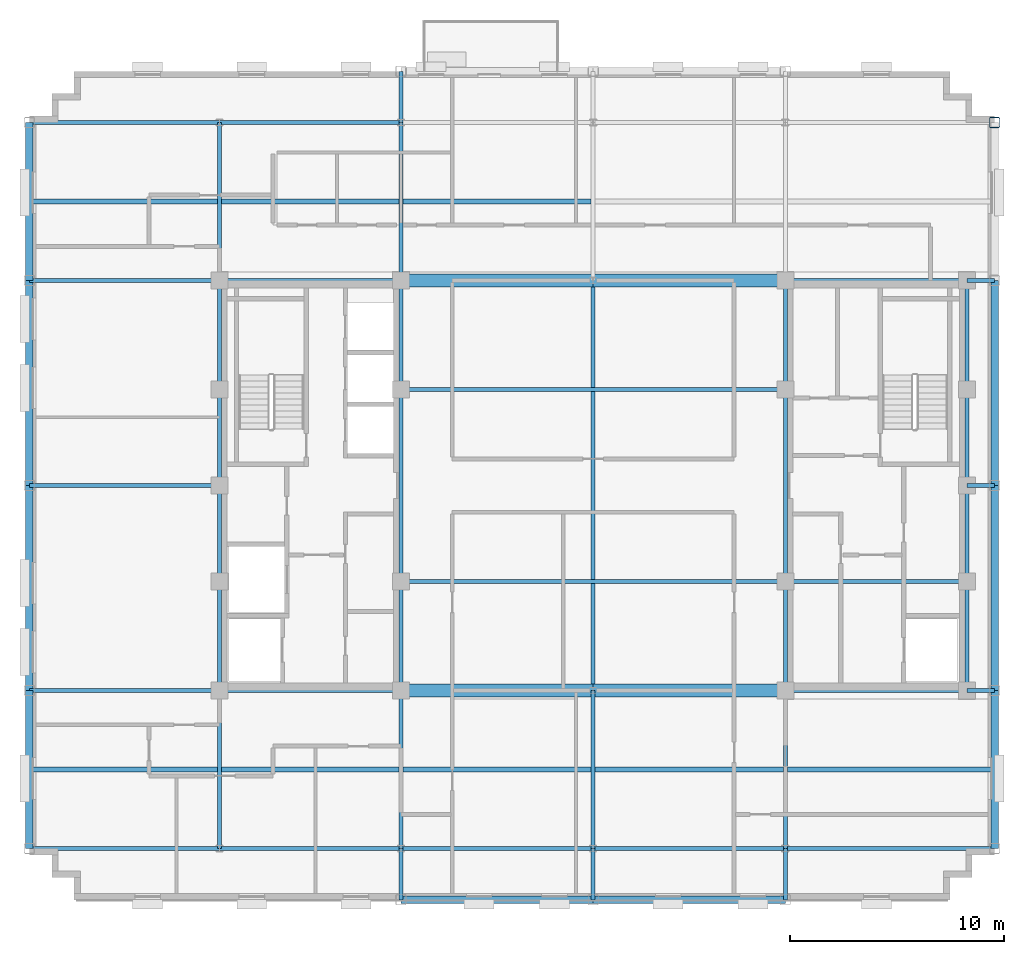
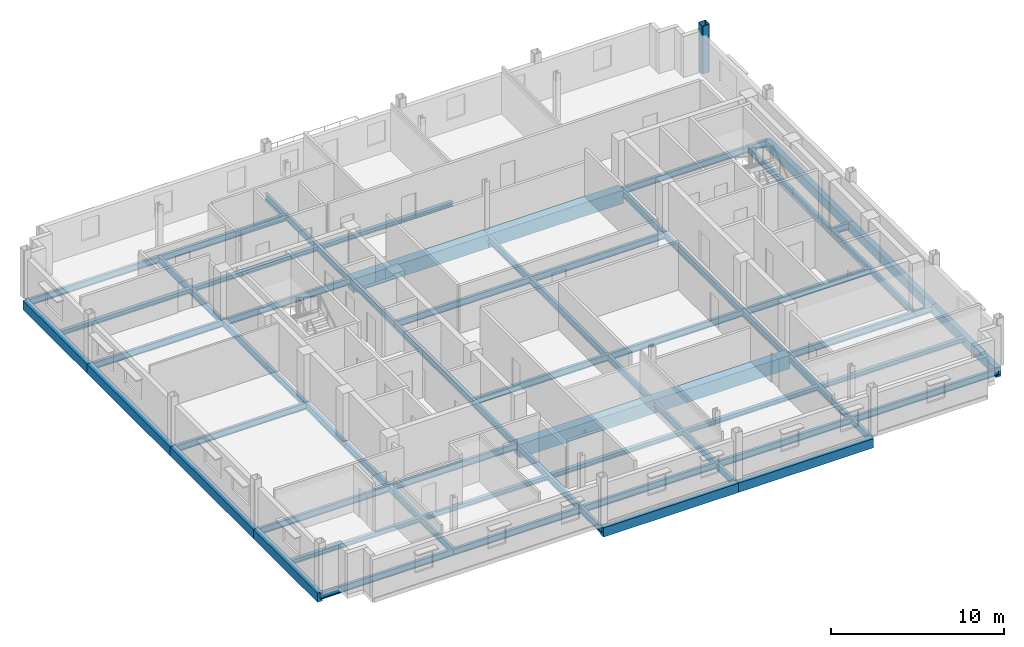
# One storey, part 4 of 14: 66 beams, 1 column.
"""IFC4 building model written with IfcOpenShell, lengths in metres."""

from ifc_helpers import new_model, si_unit, direction, frame, origin, origin_2d, place, context, subcontext, project, spatial, rectangle, hollow_rectangle, i_section, extrude, material, material_profile, profile_set, type_object, element, save


model = new_model("IFC4")

# Units and contexts
model_context = context("Model", 3, precision=1e-05, world=origin(), true_north=direction((0.0, 1.0)))
body_context = subcontext(model_context, "Body", "Model", "MODEL_VIEW")
ifc_project = project(units=[si_unit("LENGTHUNIT", "METRE"), si_unit("AREAUNIT", "SQUARE_METRE"), si_unit("VOLUMEUNIT", "CUBIC_METRE"), si_unit("PLANEANGLEUNIT", "RADIAN"), si_unit("MASSUNIT", "GRAM", prefix="KILO")], contexts=[model_context])

# Site, building, storey
site_placement = place(None, origin())
site = spatial("IfcSite", under=ifc_project, at=site_placement, CompositionType="ELEMENT")
building_placement = place(site_placement, origin())
building = spatial("IfcBuilding", under=site, at=building_placement, Name="Nuvemarco Arch Tower", CompositionType="ELEMENT")
storey_placement = place(building_placement, frame((0.0, 0.0, 238.35009765625)))
storey = spatial("IfcBuildingStorey", under=building, at=storey_placement, Name="L63", CompositionType="ELEMENT", Elevation=238.35009765625)

# Column
ifc_material_1 = material(Name="Steel S355", Category="steel")
ifc_material_profile_1 = material_profile(ifc_material_1, hollow_rectangle(XDim=0.5, YDim=0.5, WallThickness=0.031982421875, InnerFilletRadius=0.031982421875, OuterFilletRadius=0.06396484375, at=origin_2d()), Name="SHS500x500x32")
ifc_profile_set_1 = profile_set([ifc_material_profile_1], Name="Steel S355")
column_type = type_object("IfcColumnType", Name="COL-EXO-500", PredefinedType="COLUMN", material=ifc_profile_set_1)
column_placement = place(storey_placement, frame((18.800048828125, 17.0, 0.0), z_axis=(0.0, 0.0, 1.0), x_axis=(1.0, 0.0, 0.0)))
element("IfcColumn", 1, at=column_placement, inside=storey, type_object=column_type, Name="L63 column CX_+18.8_+17.0", PredefinedType="COLUMN", context=body_context, shape_type="SweptSolid", body=[
    extrude(hollow_rectangle(XDim=0.5, YDim=0.5, WallThickness=0.031982421875, InnerFilletRadius=0.031982421875, OuterFilletRadius=0.06396484375, at=origin_2d()), origin(), (0.0, 0.0, 1.0), 3.369873046875),
])

# Beams
ifc_material_2 = material(Name="Concrete C60/75", Category="concrete")
ifc_material_profile_2 = material_profile(ifc_material_2, rectangle(XDim=0.60009765625, YDim=0.949951171875, at=origin_2d()), Name="RC-BM-600x950")
ifc_profile_set_2 = profile_set([ifc_material_profile_2], Name="Concrete C60/75")
beam_type_1 = type_object("IfcBeamType", Name="BM-COUP-RC", PredefinedType="LINTEL", material=ifc_profile_set_2)
for number, where, z_axis, x_axis, name in (
    (2, (-9.0, -9.60009765625, -0.755126953125), (1.0, 0.0, 0.0), (0.0, 1.0, 0.0), "L63 structural beam BGEW_L63_0_-9.6_-9.0"),
    (3, (0.0, -9.60009765625, -0.755126953125), (1.0, 0.0, 0.0), (0.0, 1.0, 0.0), "L63 structural beam BGEW_L63_0_-9.6_+0.0"),
    (4, (-9.0, 9.60009765625, -0.755126953125), (1.0, 0.0, 0.0), (0.0, 1.0, 0.0), "L63 structural beam BGEW_L63_0_+9.6_-9.0"),
    (5, (0.0, 9.60009765625, -0.755126953125), (1.0, 0.0, 0.0), (0.0, 1.0, 0.0), "L63 structural beam BGEW_L63_0_+9.6_+0.0"),
):
    element("IfcBeam", number, at=place(storey_placement, frame(where, z_axis=z_axis, x_axis=x_axis)), inside=storey, type_object=beam_type_1, Name=name, PredefinedType="LINTEL", context=body_context, shape_type="SweptSolid", body=[
        extrude(rectangle(XDim=0.60009765625, YDim=0.949951171875, at=origin_2d()), origin(), (0.0, 0.0, 1.0), 9.0),
    ])
ifc_material_profile_3 = material_profile(ifc_material_1, i_section(OverallWidth=0.19189453125, OverallDepth=0.462890625, WebThickness=0.010498046875, FlangeThickness=0.017578125, FilletRadius=0.014892578125, at=origin_2d()), Name="W460x89")
ifc_profile_set_3 = profile_set([ifc_material_profile_3], Name="Steel S355")
beam_type_2 = type_object("IfcBeamType", Name="BM-GIRD-460", PredefinedType="BEAM", material=ifc_profile_set_3)
beam_1_placement = place(storey_placement, frame((-17.5, -17.0, -0.51171875), z_axis=(0.0, 1.0, 0.0), x_axis=(-1.0, 0.0, 0.0)))
element("IfcBeam", 6, at=beam_1_placement, inside=storey, type_object=beam_type_2, Name="L63 structural beam BGNS_L63_0_-17.5_-17.0", PredefinedType="BEAM", context=body_context, shape_type="SweptSolid", body=[
    extrude(i_section(OverallWidth=0.19189453125, OverallDepth=0.462890625, WebThickness=0.010498046875, FlangeThickness=0.017578125, FilletRadius=0.014892578125, at=origin_2d()), origin(), (0.0, 0.0, 1.0), 7.39990234375),
])
beam_2_placement = place(storey_placement, frame((-17.5, -9.60009765625, -0.51171875), z_axis=(0.0, 1.0, 0.0), x_axis=(-1.0, 0.0, 0.0)))
element("IfcBeam", 7, at=beam_2_placement, inside=storey, type_object=beam_type_2, Name="L63 structural beam BGNS_L63_0_-17.5_-9.6", PredefinedType="BEAM", context=body_context, shape_type="SweptSolid", body=[
    extrude(i_section(OverallWidth=0.19189453125, OverallDepth=0.462890625, WebThickness=0.010498046875, FlangeThickness=0.017578125, FilletRadius=0.014892578125, at=origin_2d()), origin(), (0.0, 0.0, 1.0), 5.10009765625),
])
for number, where, z_axis, x_axis, name in (
    (8, (-17.5, -4.5, -0.51171875), (0.0, 1.0, 0.0), (-1.0, 0.0, 0.0), "L63 structural beam BGNS_L63_0_-17.5_-4.5"),
    (9, (-17.5, 0.0, -0.51171875), (0.0, 1.0, 0.0), (-1.0, 0.0, 0.0), "L63 structural beam BGNS_L63_0_-17.5_+0.0"),
):
    element("IfcBeam", number, at=place(storey_placement, frame(where, z_axis=z_axis, x_axis=x_axis)), inside=storey, type_object=beam_type_2, Name=name, PredefinedType="BEAM", context=body_context, shape_type="SweptSolid", body=[
        extrude(i_section(OverallWidth=0.19189453125, OverallDepth=0.462890625, WebThickness=0.010498046875, FlangeThickness=0.017578125, FilletRadius=0.014892578125, at=origin_2d()), origin(), (0.0, 0.0, 1.0), 4.5),
    ])
beam_3_placement = place(storey_placement, frame((-17.5, 4.5, -0.51171875), z_axis=(0.0, 1.0, 0.0), x_axis=(-1.0, 0.0, 0.0)))
element("IfcBeam", 10, at=beam_3_placement, inside=storey, type_object=beam_type_2, Name="L63 structural beam BGNS_L63_0_-17.5_+4.5", PredefinedType="BEAM", context=body_context, shape_type="SweptSolid", body=[
    extrude(i_section(OverallWidth=0.19189453125, OverallDepth=0.462890625, WebThickness=0.010498046875, FlangeThickness=0.017578125, FilletRadius=0.014892578125, at=origin_2d()), origin(), (0.0, 0.0, 1.0), 5.10009765625),
])
beam_4_placement = place(storey_placement, frame((-17.5, 9.60009765625, -0.51171875), z_axis=(0.0, 1.0, 0.0), x_axis=(-1.0, 0.0, 0.0)))
element("IfcBeam", 11, at=beam_4_placement, inside=storey, type_object=beam_type_2, Name="L63 structural beam BGNS_L63_0_-17.5_+9.6", PredefinedType="BEAM", context=body_context, shape_type="SweptSolid", body=[
    extrude(i_section(OverallWidth=0.19189453125, OverallDepth=0.462890625, WebThickness=0.010498046875, FlangeThickness=0.017578125, FilletRadius=0.014892578125, at=origin_2d()), origin(), (0.0, 0.0, 1.0), 7.39990234375),
])
beam_5_placement = place(storey_placement, frame((-9.0, -19.39990234375, -0.51171875), z_axis=(0.0, 1.0, 0.0), x_axis=(-1.0, 0.0, 0.0)))
element("IfcBeam", 12, at=beam_5_placement, inside=storey, type_object=beam_type_2, Name="L63 structural beam BGNS_L63_0_-9.0_-19.4", PredefinedType="BEAM", context=body_context, shape_type="SweptSolid", body=[
    extrude(i_section(OverallWidth=0.19189453125, OverallDepth=0.462890625, WebThickness=0.010498046875, FlangeThickness=0.017578125, FilletRadius=0.014892578125, at=origin_2d()), origin(), (0.0, 0.0, 1.0), 2.39990234375),
])
beam_6_placement = place(storey_placement, frame((-9.0, -17.0, -0.51171875), z_axis=(0.0, 1.0, 0.0), x_axis=(-1.0, 0.0, 0.0)))
element("IfcBeam", 13, at=beam_6_placement, inside=storey, type_object=beam_type_2, Name="L63 structural beam BGNS_L63_0_-9.0_-17.0", PredefinedType="BEAM", context=body_context, shape_type="SweptSolid", body=[
    extrude(i_section(OverallWidth=0.19189453125, OverallDepth=0.462890625, WebThickness=0.010498046875, FlangeThickness=0.017578125, FilletRadius=0.014892578125, at=origin_2d()), origin(), (0.0, 0.0, 1.0), 7.39990234375),
])
beam_7_placement = place(storey_placement, frame((-9.0, -9.60009765625, -0.51171875), z_axis=(0.0, 1.0, 0.0), x_axis=(-1.0, 0.0, 0.0)))
element("IfcBeam", 14, at=beam_7_placement, inside=storey, type_object=beam_type_2, Name="L63 structural beam BGNS_L63_0_-9.0_-9.6", PredefinedType="BEAM", context=body_context, shape_type="SweptSolid", body=[
    extrude(i_section(OverallWidth=0.19189453125, OverallDepth=0.462890625, WebThickness=0.010498046875, FlangeThickness=0.017578125, FilletRadius=0.014892578125, at=origin_2d()), origin(), (0.0, 0.0, 1.0), 5.10009765625),
])
beam_8_placement = place(storey_placement, frame((-9.0, -4.5, -0.51171875), z_axis=(0.0, 1.0, 0.0), x_axis=(-1.0, 0.0, 0.0)))
element("IfcBeam", 15, at=beam_8_placement, inside=storey, type_object=beam_type_2, Name="L63 structural beam BGNS_L63_0_-9.0_-4.5", PredefinedType="BEAM", context=body_context, shape_type="SweptSolid", body=[
    extrude(i_section(OverallWidth=0.19189453125, OverallDepth=0.462890625, WebThickness=0.010498046875, FlangeThickness=0.017578125, FilletRadius=0.014892578125, at=origin_2d()), origin(), (0.0, 0.0, 1.0), 9.0),
])
beam_9_placement = place(storey_placement, frame((-9.0, 4.5, -0.51171875), z_axis=(0.0, 1.0, 0.0), x_axis=(-1.0, 0.0, 0.0)))
element("IfcBeam", 16, at=beam_9_placement, inside=storey, type_object=beam_type_2, Name="L63 structural beam BGNS_L63_0_-9.0_+4.5", PredefinedType="BEAM", context=body_context, shape_type="SweptSolid", body=[
    extrude(i_section(OverallWidth=0.19189453125, OverallDepth=0.462890625, WebThickness=0.010498046875, FlangeThickness=0.017578125, FilletRadius=0.014892578125, at=origin_2d()), origin(), (0.0, 0.0, 1.0), 5.10009765625),
])
beam_10_placement = place(storey_placement, frame((-9.0, 9.60009765625, -0.51171875), z_axis=(0.0, 1.0, 0.0), x_axis=(-1.0, 0.0, 0.0)))
element("IfcBeam", 17, at=beam_10_placement, inside=storey, type_object=beam_type_2, Name="L63 structural beam BGNS_L63_0_-9.0_+9.6", PredefinedType="BEAM", context=body_context, shape_type="SweptSolid", body=[
    extrude(i_section(OverallWidth=0.19189453125, OverallDepth=0.462890625, WebThickness=0.010498046875, FlangeThickness=0.017578125, FilletRadius=0.014892578125, at=origin_2d()), origin(), (0.0, 0.0, 1.0), 7.39990234375),
])
for number, where, z_axis, x_axis, name in (
    (18, (-9.0, 17.0, -0.51171875), (0.0, 1.0, 0.0), (-1.0, 0.0, 0.0), "L63 structural beam BGNS_L63_0_-9.0_+17.0"),
    (19, (0.0, -19.39990234375, -0.51171875), (0.0, 1.0, 0.0), (-1.0, 0.0, 0.0), "L63 structural beam BGNS_L63_0_+0.0_-19.4"),
):
    element("IfcBeam", number, at=place(storey_placement, frame(where, z_axis=z_axis, x_axis=x_axis)), inside=storey, type_object=beam_type_2, Name=name, PredefinedType="BEAM", context=body_context, shape_type="SweptSolid", body=[
        extrude(i_section(OverallWidth=0.19189453125, OverallDepth=0.462890625, WebThickness=0.010498046875, FlangeThickness=0.017578125, FilletRadius=0.014892578125, at=origin_2d()), origin(), (0.0, 0.0, 1.0), 2.39990234375),
    ])
beam_11_placement = place(storey_placement, frame((0.0, -17.0, -0.51171875), z_axis=(0.0, 1.0, 0.0), x_axis=(-1.0, 0.0, 0.0)))
element("IfcBeam", 20, at=beam_11_placement, inside=storey, type_object=beam_type_2, Name="L63 structural beam BGNS_L63_0_+0.0_-17.0", PredefinedType="BEAM", context=body_context, shape_type="SweptSolid", body=[
    extrude(i_section(OverallWidth=0.19189453125, OverallDepth=0.462890625, WebThickness=0.010498046875, FlangeThickness=0.017578125, FilletRadius=0.014892578125, at=origin_2d()), origin(), (0.0, 0.0, 1.0), 7.39990234375),
])
beam_12_placement = place(storey_placement, frame((0.0, -9.60009765625, -0.51171875), z_axis=(0.0, 1.0, 0.0), x_axis=(-1.0, 0.0, 0.0)))
element("IfcBeam", 21, at=beam_12_placement, inside=storey, type_object=beam_type_2, Name="L63 structural beam BGNS_L63_0_+0.0_-9.6", PredefinedType="BEAM", context=body_context, shape_type="SweptSolid", body=[
    extrude(i_section(OverallWidth=0.19189453125, OverallDepth=0.462890625, WebThickness=0.010498046875, FlangeThickness=0.017578125, FilletRadius=0.014892578125, at=origin_2d()), origin(), (0.0, 0.0, 1.0), 19.2001953125),
])
beam_13_placement = place(storey_placement, frame((9.0, -19.39990234375, -0.51171875), z_axis=(0.0, 1.0, 0.0), x_axis=(-1.0, 0.0, 0.0)))
element("IfcBeam", 22, at=beam_13_placement, inside=storey, type_object=beam_type_2, Name="L63 structural beam BGNS_L63_0_+9.0_-19.4", PredefinedType="BEAM", context=body_context, shape_type="SweptSolid", body=[
    extrude(i_section(OverallWidth=0.19189453125, OverallDepth=0.462890625, WebThickness=0.010498046875, FlangeThickness=0.017578125, FilletRadius=0.014892578125, at=origin_2d()), origin(), (0.0, 0.0, 1.0), 2.39990234375),
])
beam_14_placement = place(storey_placement, frame((9.0, -17.0, -0.51171875), z_axis=(0.0, 1.0, 0.0), x_axis=(-1.0, 0.0, 0.0)))
element("IfcBeam", 23, at=beam_14_placement, inside=storey, type_object=beam_type_2, Name="L63 structural beam BGNS_L63_0_+9.0_-17.0", PredefinedType="BEAM", context=body_context, shape_type="SweptSolid", body=[
    extrude(i_section(OverallWidth=0.19189453125, OverallDepth=0.462890625, WebThickness=0.010498046875, FlangeThickness=0.017578125, FilletRadius=0.014892578125, at=origin_2d()), origin(), (0.0, 0.0, 1.0), 7.39990234375),
])
beam_15_placement = place(storey_placement, frame((9.0, -9.60009765625, -0.51171875), z_axis=(0.0, 1.0, 0.0), x_axis=(-1.0, 0.0, 0.0)))
element("IfcBeam", 24, at=beam_15_placement, inside=storey, type_object=beam_type_2, Name="L63 structural beam BGNS_L63_0_+9.0_-9.6", PredefinedType="BEAM", context=body_context, shape_type="SweptSolid", body=[
    extrude(i_section(OverallWidth=0.19189453125, OverallDepth=0.462890625, WebThickness=0.010498046875, FlangeThickness=0.017578125, FilletRadius=0.014892578125, at=origin_2d()), origin(), (0.0, 0.0, 1.0), 5.10009765625),
])
beam_16_placement = place(storey_placement, frame((9.0, -4.5, -0.51171875), z_axis=(0.0, 1.0, 0.0), x_axis=(-1.0, 0.0, 0.0)))
element("IfcBeam", 25, at=beam_16_placement, inside=storey, type_object=beam_type_2, Name="L63 structural beam BGNS_L63_0_+9.0_-4.5", PredefinedType="BEAM", context=body_context, shape_type="SweptSolid", body=[
    extrude(i_section(OverallWidth=0.19189453125, OverallDepth=0.462890625, WebThickness=0.010498046875, FlangeThickness=0.017578125, FilletRadius=0.014892578125, at=origin_2d()), origin(), (0.0, 0.0, 1.0), 9.0),
])
for number, where, z_axis, x_axis, name in (
    (26, (9.0, 4.5, -0.51171875), (0.0, 1.0, 0.0), (-1.0, 0.0, 0.0), "L63 structural beam BGNS_L63_0_+9.0_+4.5"),
    (27, (17.5, -9.60009765625, -0.51171875), (0.0, 1.0, 0.0), (-1.0, 0.0, 0.0), "L63 structural beam BGNS_L63_0_+17.5_-9.6"),
):
    element("IfcBeam", number, at=place(storey_placement, frame(where, z_axis=z_axis, x_axis=x_axis)), inside=storey, type_object=beam_type_2, Name=name, PredefinedType="BEAM", context=body_context, shape_type="SweptSolid", body=[
        extrude(i_section(OverallWidth=0.19189453125, OverallDepth=0.462890625, WebThickness=0.010498046875, FlangeThickness=0.017578125, FilletRadius=0.014892578125, at=origin_2d()), origin(), (0.0, 0.0, 1.0), 5.10009765625),
    ])
for number, where, z_axis, x_axis, name in (
    (28, (17.5, -4.5, -0.51171875), (0.0, 1.0, 0.0), (-1.0, 0.0, 0.0), "L63 structural beam BGNS_L63_0_+17.5_-4.5"),
    (29, (17.5, 0.0, -0.51171875), (0.0, 1.0, 0.0), (-1.0, 0.0, 0.0), "L63 structural beam BGNS_L63_0_+17.5_+0.0"),
):
    element("IfcBeam", number, at=place(storey_placement, frame(where, z_axis=z_axis, x_axis=x_axis)), inside=storey, type_object=beam_type_2, Name=name, PredefinedType="BEAM", context=body_context, shape_type="SweptSolid", body=[
        extrude(i_section(OverallWidth=0.19189453125, OverallDepth=0.462890625, WebThickness=0.010498046875, FlangeThickness=0.017578125, FilletRadius=0.014892578125, at=origin_2d()), origin(), (0.0, 0.0, 1.0), 4.5),
    ])
beam_17_placement = place(storey_placement, frame((17.5, 4.5, -0.51171875), z_axis=(0.0, 1.0, 0.0), x_axis=(-1.0, 0.0, 0.0)))
element("IfcBeam", 30, at=beam_17_placement, inside=storey, type_object=beam_type_2, Name="L63 structural beam BGNS_L63_0_+17.5_+4.5", PredefinedType="BEAM", context=body_context, shape_type="SweptSolid", body=[
    extrude(i_section(OverallWidth=0.19189453125, OverallDepth=0.462890625, WebThickness=0.010498046875, FlangeThickness=0.017578125, FilletRadius=0.014892578125, at=origin_2d()), origin(), (0.0, 0.0, 1.0), 5.10009765625),
])
beam_18_placement = place(storey_placement, frame((-26.39990234375, -17.0, -0.51171875), z_axis=(1.0, 0.0, 0.0), x_axis=(0.0, 1.0, 0.0)))
element("IfcBeam", 31, at=beam_18_placement, inside=storey, type_object=beam_type_2, Name="L63 structural beam BGEW_L63_0_-17.0_-26.4", PredefinedType="BEAM", context=body_context, shape_type="SweptSolid", body=[
    extrude(i_section(OverallWidth=0.19189453125, OverallDepth=0.462890625, WebThickness=0.010498046875, FlangeThickness=0.017578125, FilletRadius=0.014892578125, at=origin_2d()), origin(), (0.0, 0.0, 1.0), 8.89990234375),
])
beam_19_placement = place(storey_placement, frame((-17.5, -17.0, -0.51171875), z_axis=(1.0, 0.0, 0.0), x_axis=(0.0, 1.0, 0.0)))
element("IfcBeam", 32, at=beam_19_placement, inside=storey, type_object=beam_type_2, Name="L63 structural beam BGEW_L63_0_-17.0_-17.5", PredefinedType="BEAM", context=body_context, shape_type="SweptSolid", body=[
    extrude(i_section(OverallWidth=0.19189453125, OverallDepth=0.462890625, WebThickness=0.010498046875, FlangeThickness=0.017578125, FilletRadius=0.014892578125, at=origin_2d()), origin(), (0.0, 0.0, 1.0), 8.5),
])
for number, where, z_axis, x_axis, name in (
    (33, (-9.0, -17.0, -0.51171875), (1.0, 0.0, 0.0), (0.0, 1.0, 0.0), "L63 structural beam BGEW_L63_0_-17.0_-9.0"),
    (34, (0.0, -17.0, -0.51171875), (1.0, 0.0, 0.0), (0.0, 1.0, 0.0), "L63 structural beam BGEW_L63_0_-17.0_+0.0"),
):
    element("IfcBeam", number, at=place(storey_placement, frame(where, z_axis=z_axis, x_axis=x_axis)), inside=storey, type_object=beam_type_2, Name=name, PredefinedType="BEAM", context=body_context, shape_type="SweptSolid", body=[
        extrude(i_section(OverallWidth=0.19189453125, OverallDepth=0.462890625, WebThickness=0.010498046875, FlangeThickness=0.017578125, FilletRadius=0.014892578125, at=origin_2d()), origin(), (0.0, 0.0, 1.0), 9.0),
    ])
beam_20_placement = place(storey_placement, frame((9.0, -17.0, -0.51171875), z_axis=(1.0, 0.0, 0.0), x_axis=(0.0, 1.0, 0.0)))
element("IfcBeam", 35, at=beam_20_placement, inside=storey, type_object=beam_type_2, Name="L63 structural beam BGEW_L63_0_-17.0_+9.0", PredefinedType="BEAM", context=body_context, shape_type="SweptSolid", body=[
    extrude(i_section(OverallWidth=0.19189453125, OverallDepth=0.462890625, WebThickness=0.010498046875, FlangeThickness=0.017578125, FilletRadius=0.014892578125, at=origin_2d()), origin(), (0.0, 0.0, 1.0), 9.800048828125),
])
beam_21_placement = place(storey_placement, frame((-26.39990234375, -9.60009765625, -0.51171875), z_axis=(1.0, 0.0, 0.0), x_axis=(0.0, 1.0, 0.0)))
element("IfcBeam", 36, at=beam_21_placement, inside=storey, type_object=beam_type_2, Name="L63 structural beam BGEW_L63_0_-9.6_-26.4", PredefinedType="BEAM", context=body_context, shape_type="SweptSolid", body=[
    extrude(i_section(OverallWidth=0.19189453125, OverallDepth=0.462890625, WebThickness=0.010498046875, FlangeThickness=0.017578125, FilletRadius=0.014892578125, at=origin_2d()), origin(), (0.0, 0.0, 1.0), 8.89990234375),
])
for number, where, z_axis, x_axis, name in (
    (37, (-17.5, -9.60009765625, -0.51171875), (1.0, 0.0, 0.0), (0.0, 1.0, 0.0), "L63 structural beam BGEW_L63_0_-9.6_-17.5"),
    (38, (9.0, -9.60009765625, -0.51171875), (1.0, 0.0, 0.0), (0.0, 1.0, 0.0), "L63 structural beam BGEW_L63_0_-9.6_+9.0"),
):
    element("IfcBeam", number, at=place(storey_placement, frame(where, z_axis=z_axis, x_axis=x_axis)), inside=storey, type_object=beam_type_2, Name=name, PredefinedType="BEAM", context=body_context, shape_type="SweptSolid", body=[
        extrude(i_section(OverallWidth=0.19189453125, OverallDepth=0.462890625, WebThickness=0.010498046875, FlangeThickness=0.017578125, FilletRadius=0.014892578125, at=origin_2d()), origin(), (0.0, 0.0, 1.0), 8.5),
    ])
beam_22_placement = place(storey_placement, frame((17.5, -9.60009765625, -0.51171875), z_axis=(1.0, 0.0, 0.0), x_axis=(0.0, 1.0, 0.0)))
element("IfcBeam", 39, at=beam_22_placement, inside=storey, type_object=beam_type_2, Name="L63 structural beam BGEW_L63_0_-9.6_+17.5", PredefinedType="BEAM", context=body_context, shape_type="SweptSolid", body=[
    extrude(i_section(OverallWidth=0.19189453125, OverallDepth=0.462890625, WebThickness=0.010498046875, FlangeThickness=0.017578125, FilletRadius=0.014892578125, at=origin_2d()), origin(), (0.0, 0.0, 1.0), 1.300048828125),
])
beam_23_placement = place(storey_placement, frame((-9.0, -4.5, -0.51171875), z_axis=(1.0, 0.0, 0.0), x_axis=(0.0, 1.0, 0.0)))
element("IfcBeam", 40, at=beam_23_placement, inside=storey, type_object=beam_type_2, Name="L63 structural beam BGEW_L63_0_-4.5_-9.0", PredefinedType="BEAM", context=body_context, shape_type="SweptSolid", body=[
    extrude(i_section(OverallWidth=0.19189453125, OverallDepth=0.462890625, WebThickness=0.010498046875, FlangeThickness=0.017578125, FilletRadius=0.014892578125, at=origin_2d()), origin(), (0.0, 0.0, 1.0), 18.0),
])
beam_24_placement = place(storey_placement, frame((9.0, -4.5, -0.51171875), z_axis=(1.0, 0.0, 0.0), x_axis=(0.0, 1.0, 0.0)))
element("IfcBeam", 41, at=beam_24_placement, inside=storey, type_object=beam_type_2, Name="L63 structural beam BGEW_L63_0_-4.5_+9.0", PredefinedType="BEAM", context=body_context, shape_type="SweptSolid", body=[
    extrude(i_section(OverallWidth=0.19189453125, OverallDepth=0.462890625, WebThickness=0.010498046875, FlangeThickness=0.017578125, FilletRadius=0.014892578125, at=origin_2d()), origin(), (0.0, 0.0, 1.0), 8.5),
])
beam_25_placement = place(storey_placement, frame((-26.39990234375, 0.0, -0.51171875), z_axis=(1.0, 0.0, 0.0), x_axis=(0.0, 1.0, 0.0)))
element("IfcBeam", 42, at=beam_25_placement, inside=storey, type_object=beam_type_2, Name="L63 structural beam BGEW_L63_0_+0.0_-26.4", PredefinedType="BEAM", context=body_context, shape_type="SweptSolid", body=[
    extrude(i_section(OverallWidth=0.19189453125, OverallDepth=0.462890625, WebThickness=0.010498046875, FlangeThickness=0.017578125, FilletRadius=0.014892578125, at=origin_2d()), origin(), (0.0, 0.0, 1.0), 8.89990234375),
])
beam_26_placement = place(storey_placement, frame((17.5, 0.0, -0.51171875), z_axis=(1.0, 0.0, 0.0), x_axis=(0.0, 1.0, 0.0)))
element("IfcBeam", 43, at=beam_26_placement, inside=storey, type_object=beam_type_2, Name="L63 structural beam BGEW_L63_0_+0.0_+17.5", PredefinedType="BEAM", context=body_context, shape_type="SweptSolid", body=[
    extrude(i_section(OverallWidth=0.19189453125, OverallDepth=0.462890625, WebThickness=0.010498046875, FlangeThickness=0.017578125, FilletRadius=0.014892578125, at=origin_2d()), origin(), (0.0, 0.0, 1.0), 1.300048828125),
])
beam_27_placement = place(storey_placement, frame((-9.0, 4.5, -0.51171875), z_axis=(1.0, 0.0, 0.0), x_axis=(0.0, 1.0, 0.0)))
element("IfcBeam", 44, at=beam_27_placement, inside=storey, type_object=beam_type_2, Name="L63 structural beam BGEW_L63_0_+4.5_-9.0", PredefinedType="BEAM", context=body_context, shape_type="SweptSolid", body=[
    extrude(i_section(OverallWidth=0.19189453125, OverallDepth=0.462890625, WebThickness=0.010498046875, FlangeThickness=0.017578125, FilletRadius=0.014892578125, at=origin_2d()), origin(), (0.0, 0.0, 1.0), 18.0),
])
beam_28_placement = place(storey_placement, frame((-26.39990234375, 9.60009765625, -0.51171875), z_axis=(1.0, 0.0, 0.0), x_axis=(0.0, 1.0, 0.0)))
element("IfcBeam", 45, at=beam_28_placement, inside=storey, type_object=beam_type_2, Name="L63 structural beam BGEW_L63_0_+9.6_-26.4", PredefinedType="BEAM", context=body_context, shape_type="SweptSolid", body=[
    extrude(i_section(OverallWidth=0.19189453125, OverallDepth=0.462890625, WebThickness=0.010498046875, FlangeThickness=0.017578125, FilletRadius=0.014892578125, at=origin_2d()), origin(), (0.0, 0.0, 1.0), 8.89990234375),
])
for number, where, z_axis, x_axis, name in (
    (46, (-17.5, 9.60009765625, -0.51171875), (1.0, 0.0, 0.0), (0.0, 1.0, 0.0), "L63 structural beam BGEW_L63_0_+9.6_-17.5"),
    (47, (9.0, 9.60009765625, -0.51171875), (1.0, 0.0, 0.0), (0.0, 1.0, 0.0), "L63 structural beam BGEW_L63_0_+9.6_+9.0"),
):
    element("IfcBeam", number, at=place(storey_placement, frame(where, z_axis=z_axis, x_axis=x_axis)), inside=storey, type_object=beam_type_2, Name=name, PredefinedType="BEAM", context=body_context, shape_type="SweptSolid", body=[
        extrude(i_section(OverallWidth=0.19189453125, OverallDepth=0.462890625, WebThickness=0.010498046875, FlangeThickness=0.017578125, FilletRadius=0.014892578125, at=origin_2d()), origin(), (0.0, 0.0, 1.0), 8.5),
    ])
beam_29_placement = place(storey_placement, frame((17.5, 9.60009765625, -0.51171875), z_axis=(1.0, 0.0, 0.0), x_axis=(0.0, 1.0, 0.0)))
element("IfcBeam", 48, at=beam_29_placement, inside=storey, type_object=beam_type_2, Name="L63 structural beam BGEW_L63_0_+9.6_+17.5", PredefinedType="BEAM", context=body_context, shape_type="SweptSolid", body=[
    extrude(i_section(OverallWidth=0.19189453125, OverallDepth=0.462890625, WebThickness=0.010498046875, FlangeThickness=0.017578125, FilletRadius=0.014892578125, at=origin_2d()), origin(), (0.0, 0.0, 1.0), 1.300048828125),
])
beam_30_placement = place(storey_placement, frame((-26.39990234375, 17.0, -0.51171875), z_axis=(1.0, 0.0, 0.0), x_axis=(0.0, 1.0, 0.0)))
element("IfcBeam", 49, at=beam_30_placement, inside=storey, type_object=beam_type_2, Name="L63 structural beam BGEW_L63_0_+17.0_-26.4", PredefinedType="BEAM", context=body_context, shape_type="SweptSolid", body=[
    extrude(i_section(OverallWidth=0.19189453125, OverallDepth=0.462890625, WebThickness=0.010498046875, FlangeThickness=0.017578125, FilletRadius=0.014892578125, at=origin_2d()), origin(), (0.0, 0.0, 1.0), 8.89990234375),
])
beam_31_placement = place(storey_placement, frame((-17.5, 17.0, -0.51171875), z_axis=(1.0, 0.0, 0.0), x_axis=(0.0, 1.0, 0.0)))
element("IfcBeam", 50, at=beam_31_placement, inside=storey, type_object=beam_type_2, Name="L63 structural beam BGEW_L63_0_+17.0_-17.5", PredefinedType="BEAM", context=body_context, shape_type="SweptSolid", body=[
    extrude(i_section(OverallWidth=0.19189453125, OverallDepth=0.462890625, WebThickness=0.010498046875, FlangeThickness=0.017578125, FilletRadius=0.014892578125, at=origin_2d()), origin(), (0.0, 0.0, 1.0), 8.5),
])
ifc_material_profile_4 = material_profile(ifc_material_1, i_section(OverallWidth=0.25390625, OverallDepth=0.305908203125, WebThickness=0.0087890625, FlangeThickness=0.0146484375, FilletRadius=0.014892578125, at=origin_2d()), Name="W310x79")
ifc_profile_set_4 = profile_set([ifc_material_profile_4], Name="Steel S355")
beam_type_3 = type_object("IfcBeamType", Name="BM-JOIST-310H", PredefinedType="JOIST", material=ifc_profile_set_4)
beam_32_placement = place(storey_placement, frame((-26.22509765625, -13.300048828125, -0.43310546875), z_axis=(1.0, 0.0, 0.0), x_axis=(0.0, 1.0, 0.0)))
element("IfcBeam", 51, at=beam_32_placement, inside=storey, type_object=beam_type_3, Name="L63 structural beam BJ_L63_0_-13.3_-26.4", PredefinedType="JOIST", context=body_context, shape_type="SweptSolid", body=[
    extrude(i_section(OverallWidth=0.25390625, OverallDepth=0.305908203125, WebThickness=0.0087890625, FlangeThickness=0.0146484375, FilletRadius=0.014892578125, at=origin_2d()), origin(), (0.0, 0.0, 1.0), 8.629150390625),
])
beam_33_placement = place(storey_placement, frame((-17.404052734375, -13.300048828125, -0.43310546875), z_axis=(1.0, 0.0, 0.0), x_axis=(0.0, 1.0, 0.0)))
element("IfcBeam", 52, at=beam_33_placement, inside=storey, type_object=beam_type_3, Name="L63 structural beam BJ_L63_0_-13.3_-17.5", PredefinedType="JOIST", context=body_context, shape_type="SweptSolid", body=[
    extrude(i_section(OverallWidth=0.25390625, OverallDepth=0.305908203125, WebThickness=0.0087890625, FlangeThickness=0.0146484375, FilletRadius=0.014892578125, at=origin_2d()), origin(), (0.0, 0.0, 1.0), 8.30810546875),
])
for number, where, z_axis, x_axis, name in (
    (53, (-8.904052734375, -13.300048828125, -0.43310546875), (1.0, 0.0, 0.0), (0.0, 1.0, 0.0), "L63 structural beam BJ_L63_0_-13.3_-9.0"),
    (54, (0.095947265625, -13.300048828125, -0.43310546875), (1.0, 0.0, 0.0), (0.0, 1.0, 0.0), "L63 structural beam BJ_L63_0_-13.3_+0.0"),
):
    element("IfcBeam", number, at=place(storey_placement, frame(where, z_axis=z_axis, x_axis=x_axis)), inside=storey, type_object=beam_type_3, Name=name, PredefinedType="JOIST", context=body_context, shape_type="SweptSolid", body=[
        extrude(i_section(OverallWidth=0.25390625, OverallDepth=0.305908203125, WebThickness=0.0087890625, FlangeThickness=0.0146484375, FilletRadius=0.014892578125, at=origin_2d()), origin(), (0.0, 0.0, 1.0), 8.80810546875),
    ])
beam_34_placement = place(storey_placement, frame((9.095947265625, -13.300048828125, -0.43310546875), z_axis=(1.0, 0.0, 0.0), x_axis=(0.0, 1.0, 0.0)))
element("IfcBeam", 55, at=beam_34_placement, inside=storey, type_object=beam_type_3, Name="L63 structural beam BJ_L63_0_-13.3_+9.0", PredefinedType="JOIST", context=body_context, shape_type="SweptSolid", body=[
    extrude(i_section(OverallWidth=0.25390625, OverallDepth=0.305908203125, WebThickness=0.0087890625, FlangeThickness=0.0146484375, FilletRadius=0.014892578125, at=origin_2d()), origin(), (0.0, 0.0, 1.0), 9.529052734375),
])
beam_35_placement = place(storey_placement, frame((-26.22509765625, 13.300048828125, -0.43310546875), z_axis=(1.0, 0.0, 0.0), x_axis=(0.0, 1.0, 0.0)))
element("IfcBeam", 56, at=beam_35_placement, inside=storey, type_object=beam_type_3, Name="L63 structural beam BJ_L63_0_+13.3_-26.4", PredefinedType="JOIST", context=body_context, shape_type="SweptSolid", body=[
    extrude(i_section(OverallWidth=0.25390625, OverallDepth=0.305908203125, WebThickness=0.0087890625, FlangeThickness=0.0146484375, FilletRadius=0.014892578125, at=origin_2d()), origin(), (0.0, 0.0, 1.0), 8.629150390625),
])
beam_36_placement = place(storey_placement, frame((-17.404052734375, 13.300048828125, -0.43310546875), z_axis=(1.0, 0.0, 0.0), x_axis=(0.0, 1.0, 0.0)))
element("IfcBeam", 57, at=beam_36_placement, inside=storey, type_object=beam_type_3, Name="L63 structural beam BJ_L63_0_+13.3_-17.5", PredefinedType="JOIST", context=body_context, shape_type="SweptSolid", body=[
    extrude(i_section(OverallWidth=0.25390625, OverallDepth=0.305908203125, WebThickness=0.0087890625, FlangeThickness=0.0146484375, FilletRadius=0.014892578125, at=origin_2d()), origin(), (0.0, 0.0, 1.0), 8.30810546875),
])
beam_37_placement = place(storey_placement, frame((-8.904052734375, 13.300048828125, -0.43310546875), z_axis=(1.0, 0.0, 0.0), x_axis=(0.0, 1.0, 0.0)))
element("IfcBeam", 58, at=beam_37_placement, inside=storey, type_object=beam_type_3, Name="L63 structural beam BJ_L63_0_+13.3_-9.0", PredefinedType="JOIST", context=body_context, shape_type="SweptSolid", body=[
    extrude(i_section(OverallWidth=0.25390625, OverallDepth=0.305908203125, WebThickness=0.0087890625, FlangeThickness=0.0146484375, FilletRadius=0.014892578125, at=origin_2d()), origin(), (0.0, 0.0, 1.0), 8.80810546875),
])
ifc_material_3 = material(Name="Precast concrete C45/55", Category="concrete")
ifc_material_profile_5 = material_profile(ifc_material_3, rectangle(XDim=0.35009765625, YDim=0.64990234375, at=origin_2d()), Name="PC-SP-350x650")
ifc_profile_set_5 = profile_set([ifc_material_profile_5], Name="Precast concrete C45/55")
beam_type_4 = type_object("IfcBeamType", Name="BM-SPAN-RC", PredefinedType="SPANDREL", material=ifc_profile_set_5)
beam_38_placement = place(storey_placement, frame((-26.39990234375, -17.0, -0.60498046875), z_axis=(0.0, 1.0, 0.0), x_axis=(-1.0, 0.0, 0.0)))
element("IfcBeam", 59, at=beam_38_placement, inside=storey, type_object=beam_type_4, Name="L63 structural beam BGNS_L63_0_-26.4_-17.0", PredefinedType="SPANDREL", context=body_context, shape_type="SweptSolid", body=[
    extrude(rectangle(XDim=0.35009765625, YDim=0.64990234375, at=origin_2d()), origin(), (0.0, 0.0, 1.0), 7.39990234375),
])
for number, where, z_axis, x_axis, name in (
    (60, (-26.39990234375, -9.60009765625, -0.60498046875), (0.0, 1.0, 0.0), (-1.0, 0.0, 0.0), "L63 structural beam BGNS_L63_0_-26.4_-9.6"),
    (61, (-26.39990234375, 0.0, -0.60498046875), (0.0, 1.0, 0.0), (-1.0, 0.0, 0.0), "L63 structural beam BGNS_L63_0_-26.4_+0.0"),
):
    element("IfcBeam", number, at=place(storey_placement, frame(where, z_axis=z_axis, x_axis=x_axis)), inside=storey, type_object=beam_type_4, Name=name, PredefinedType="SPANDREL", context=body_context, shape_type="SweptSolid", body=[
        extrude(rectangle(XDim=0.35009765625, YDim=0.64990234375, at=origin_2d()), origin(), (0.0, 0.0, 1.0), 9.60009765625),
    ])
for number, where, z_axis, x_axis, name in (
    (62, (-26.39990234375, 9.60009765625, -0.60498046875), (0.0, 1.0, 0.0), (-1.0, 0.0, 0.0), "L63 structural beam BGNS_L63_0_-26.4_+9.6"),
    (63, (18.800048828125, -17.0, -0.60498046875), (0.0, 1.0, 0.0), (-1.0, 0.0, 0.0), "L63 structural beam BGNS_L63_0_+18.8_-17.0"),
):
    element("IfcBeam", number, at=place(storey_placement, frame(where, z_axis=z_axis, x_axis=x_axis)), inside=storey, type_object=beam_type_4, Name=name, PredefinedType="SPANDREL", context=body_context, shape_type="SweptSolid", body=[
        extrude(rectangle(XDim=0.35009765625, YDim=0.64990234375, at=origin_2d()), origin(), (0.0, 0.0, 1.0), 7.39990234375),
    ])
for number, where, z_axis, x_axis, name in (
    (64, (18.800048828125, -9.60009765625, -0.60498046875), (0.0, 1.0, 0.0), (-1.0, 0.0, 0.0), "L63 structural beam BGNS_L63_0_+18.8_-9.6"),
    (65, (18.800048828125, 0.0, -0.60498046875), (0.0, 1.0, 0.0), (-1.0, 0.0, 0.0), "L63 structural beam BGNS_L63_0_+18.8_+0.0"),
):
    element("IfcBeam", number, at=place(storey_placement, frame(where, z_axis=z_axis, x_axis=x_axis)), inside=storey, type_object=beam_type_4, Name=name, PredefinedType="SPANDREL", context=body_context, shape_type="SweptSolid", body=[
        extrude(rectangle(XDim=0.35009765625, YDim=0.64990234375, at=origin_2d()), origin(), (0.0, 0.0, 1.0), 9.60009765625),
    ])
for number, where, z_axis, x_axis, name in (
    (66, (-9.0, -19.39990234375, -0.60498046875), (1.0, 0.0, 0.0), (0.0, 1.0, 0.0), "L63 structural beam BGEW_L63_0_-19.4_-9.0"),
    (67, (0.0, -19.39990234375, -0.60498046875), (1.0, 0.0, 0.0), (0.0, 1.0, 0.0), "L63 structural beam BGEW_L63_0_-19.4_+0.0"),
):
    element("IfcBeam", number, at=place(storey_placement, frame(where, z_axis=z_axis, x_axis=x_axis)), inside=storey, type_object=beam_type_4, Name=name, PredefinedType="SPANDREL", context=body_context, shape_type="SweptSolid", body=[
        extrude(rectangle(XDim=0.35009765625, YDim=0.64990234375, at=origin_2d()), origin(), (0.0, 0.0, 1.0), 9.0),
    ])

save(model, "model.ifc")
